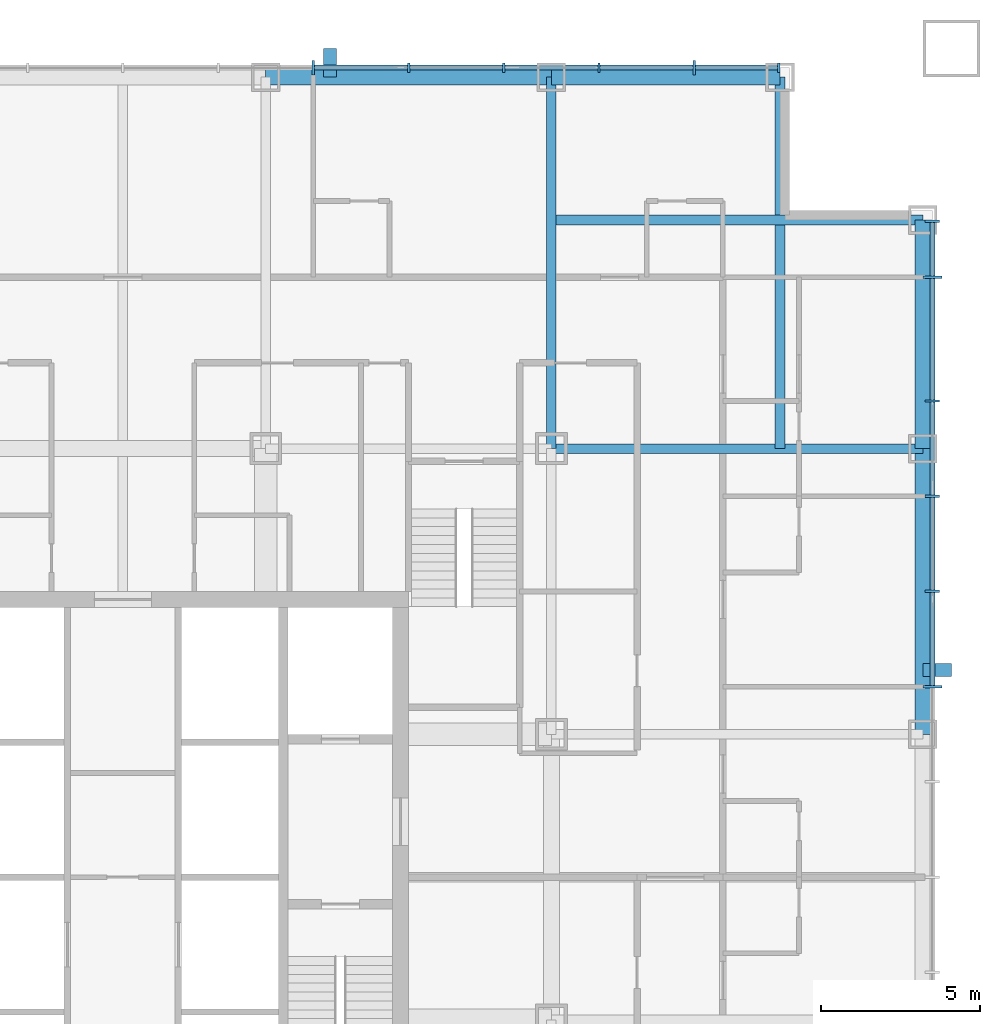
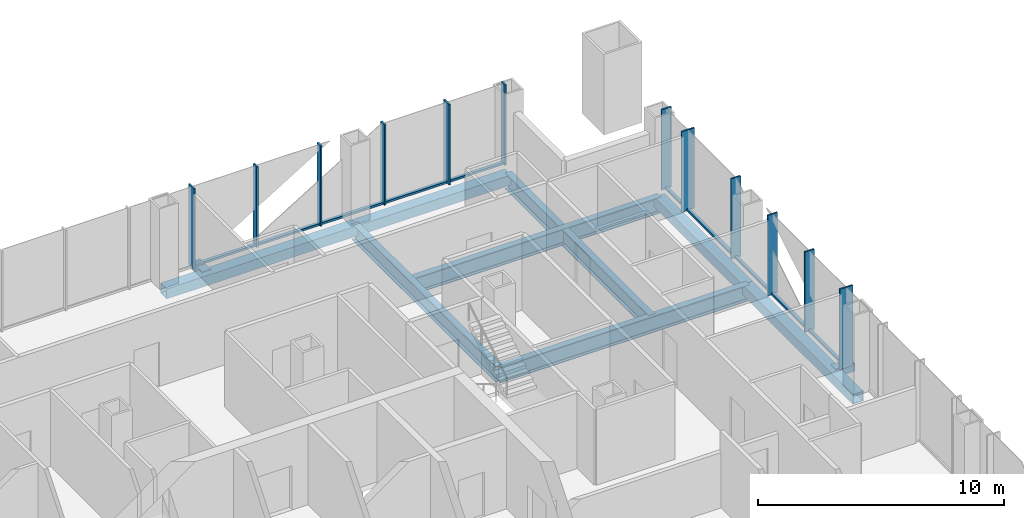
# One storey, part 5 of 17: 24 members, 8 beams, 2 elements without a shape of their own.
"""IFC4 building model written with IfcOpenShell, lengths in metres."""

from ifc_helpers import new_model, si_unit, direction, frame, origin, origin_2d, place, context, subcontext, project, spatial, rectangle, hollow_rectangle, i_section, extrude, material, layer, layer_set, material_profile, profile_set, type_object, element, aggregate, save


model = new_model("IFC4")

# Units and contexts
model_context = context("Model", 3, precision=1e-05, world=origin(), true_north=direction((0.0, 1.0)))
body_context = subcontext(model_context, "Body", "Model", "MODEL_VIEW")
ifc_project = project(units=[si_unit("LENGTHUNIT", "METRE"), si_unit("AREAUNIT", "SQUARE_METRE"), si_unit("VOLUMEUNIT", "CUBIC_METRE"), si_unit("PLANEANGLEUNIT", "RADIAN"), si_unit("MASSUNIT", "GRAM", prefix="KILO")], contexts=[model_context])

# Site, building, storey
site_placement = place(None, origin())
site = spatial("IfcSite", under=ifc_project, at=site_placement, CompositionType="ELEMENT")
building_placement = place(site_placement, origin())
building = spatial("IfcBuilding", under=site, at=building_placement, Name="Malebo Sky Hospital", CompositionType="ELEMENT")
storey_placement = place(building_placement, frame((0.0, 0.0, 83.0)))
storey = spatial("IfcBuildingStorey", under=building, at=storey_placement, Name="L19", CompositionType="ELEMENT", Elevation=83.0)

# Curtain wall, members
ifc_material_1 = material(Name="Anodised aluminium, natural silver", Category="aluminium")
ifc_layer_1 = layer(ifc_material_1, 0.25)
ifc_layer_set_1 = layer_set([ifc_layer_1], Name="WARD CURTAIN WALL NORTH AND SOUTH")
curtain_wall_type_1 = type_object("IfcCurtainWallType", Name="WARD CURTAIN WALL NORTH AND SOUTH", PredefinedType="NOTDEFINED", material=ifc_layer_set_1)
curtain_wall_1_placement = place(storey_placement, origin())
curtain_wall_1 = element("IfcCurtainWall", 1, at=curtain_wall_1_placement, inside=storey, type_object=curtain_wall_type_1, Name="NS curtain wall N", PredefinedType="NOTDEFINED")
ifc_material_profile_1 = material_profile(ifc_material_1, rectangle(XDim=0.14990234375, YDim=0.10009765625, at=origin_2d()), Name="ALUMINIUM TRANSOM 150x100")
ifc_profile_set_1 = profile_set([ifc_material_profile_1], Name="Anodised aluminium, natural silver")
member_type_1 = type_object("IfcMemberType", Name="ALUMINIUM TRANSOM 150x100", PredefinedType="USERDEFINED", material=ifc_profile_set_1)
member_1_placement = place(storey_placement, frame((66.03759765625, 87.5, 0.050048828125), z_axis=(1.0, 0.0, 0.0), x_axis=(0.0, 1.0, 0.0)))
member_1 = element("IfcMember", 2, at=member_1_placement, type_object=member_type_1, Name="Transom 10", ObjectType="TRANSOM", PredefinedType="USERDEFINED", context=body_context, shape_type="SweptSolid", body=[
    extrude(rectangle(XDim=0.14990234375, YDim=0.10009765625, at=origin_2d()), origin(), (0.0, 0.0, 1.0), 2.9248046875),
])
member_2_placement = place(storey_placement, frame((69.03759765625, 87.5, 0.050048828125), z_axis=(1.0, 0.0, 0.0), x_axis=(0.0, 1.0, 0.0)))
member_2 = element("IfcMember", 3, at=member_2_placement, type_object=member_type_1, Name="Transom 11", ObjectType="TRANSOM", PredefinedType="USERDEFINED", context=body_context, shape_type="SweptSolid", body=[
    extrude(rectangle(XDim=0.14990234375, YDim=0.10009765625, at=origin_2d()), origin(), (0.0, 0.0, 1.0), 2.9248046875),
])
member_3_placement = place(storey_placement, frame((72.03759765625, 87.5, 0.050048828125), z_axis=(1.0, 0.0, 0.0), x_axis=(0.0, 1.0, 0.0)))
member_3 = element("IfcMember", 4, at=member_3_placement, type_object=member_type_1, Name="Transom 12", ObjectType="TRANSOM", PredefinedType="USERDEFINED", context=body_context, shape_type="SweptSolid", body=[
    extrude(rectangle(XDim=0.14990234375, YDim=0.10009765625, at=origin_2d()), origin(), (0.0, 0.0, 1.0), 2.9248046875),
])
member_4_placement = place(storey_placement, frame((75.03759765625, 87.5, 0.050048828125), z_axis=(1.0, 0.0, 0.0), x_axis=(0.0, 1.0, 0.0)))
member_4 = element("IfcMember", 5, at=member_4_placement, type_object=member_type_1, Name="Transom 13", ObjectType="TRANSOM", PredefinedType="USERDEFINED", context=body_context, shape_type="SweptSolid", body=[
    extrude(rectangle(XDim=0.14990234375, YDim=0.10009765625, at=origin_2d()), origin(), (0.0, 0.0, 1.0), 2.9248046875),
])
member_5_placement = place(storey_placement, frame((78.03759765625, 87.5, 0.050048828125), z_axis=(1.0, 0.0, 0.0), x_axis=(0.0, 1.0, 0.0)))
member_5 = element("IfcMember", 6, at=member_5_placement, type_object=member_type_1, Name="Transom 14", ObjectType="TRANSOM", PredefinedType="USERDEFINED", context=body_context, shape_type="SweptSolid", body=[
    extrude(rectangle(XDim=0.14990234375, YDim=0.10009765625, at=origin_2d()), origin(), (0.0, 0.0, 1.0), 2.58740234375),
])

ifc_layer_2 = layer(ifc_material_1, 0.25)
ifc_layer_set_2 = layer_set([ifc_layer_2], Name="WARD CURTAIN WALL EAST AND WEST")
curtain_wall_type_2 = type_object("IfcCurtainWallType", Name="WARD CURTAIN WALL EAST AND WEST", PredefinedType="NOTDEFINED", material=ifc_layer_set_2)
curtain_wall_2_placement = place(storey_placement, origin())
curtain_wall_2 = element("IfcCurtainWall", 7, at=curtain_wall_2_placement, inside=storey, type_object=curtain_wall_type_2, Name="EW curtain wall E", PredefinedType="NOTDEFINED")
member_6_placement = place(storey_placement, frame((85.5, 82.625, 0.050048828125), z_axis=(0.0, -1.0, 0.0), x_axis=(1.0, 0.0, 0.0)))
member_6 = element("IfcMember", 8, at=member_6_placement, type_object=member_type_1, Name="Transom 1", ObjectType="TRANSOM", PredefinedType="USERDEFINED", context=body_context, shape_type="SweptSolid", body=[
    extrude(rectangle(XDim=0.14990234375, YDim=0.10009765625, at=origin_2d()), origin(), (0.0, 0.0, 1.0), 1.6875),
])
member_7_placement = place(storey_placement, frame((85.5, 80.862548828125, 0.050048828125), z_axis=(0.0, -1.0, 0.0), x_axis=(1.0, 0.0, 0.0)))
member_7 = element("IfcMember", 9, at=member_7_placement, type_object=member_type_1, Name="Transom 2", ObjectType="TRANSOM", PredefinedType="USERDEFINED", context=body_context, shape_type="SweptSolid", body=[
    extrude(rectangle(XDim=0.14990234375, YDim=0.10009765625, at=origin_2d()), origin(), (0.0, 0.0, 1.0), 3.824951171875),
])
member_8_placement = place(storey_placement, frame((85.5, 76.96240234375, 0.050048828125), z_axis=(0.0, -1.0, 0.0), x_axis=(1.0, 0.0, 0.0)))
member_8 = element("IfcMember", 10, at=member_8_placement, type_object=member_type_1, Name="Transom 3", ObjectType="TRANSOM", PredefinedType="USERDEFINED", context=body_context, shape_type="SweptSolid", body=[
    extrude(rectangle(XDim=0.14990234375, YDim=0.10009765625, at=origin_2d()), origin(), (0.0, 0.0, 1.0), 2.9248046875),
])
member_9_placement = place(storey_placement, frame((85.5, 73.96240234375, 0.050048828125), z_axis=(0.0, -1.0, 0.0), x_axis=(1.0, 0.0, 0.0)))
member_9 = element("IfcMember", 11, at=member_9_placement, type_object=member_type_1, Name="Transom 4", ObjectType="TRANSOM", PredefinedType="USERDEFINED", context=body_context, shape_type="SweptSolid", body=[
    extrude(rectangle(XDim=0.14990234375, YDim=0.10009765625, at=origin_2d()), origin(), (0.0, 0.0, 1.0), 2.9248046875),
])
member_10_placement = place(storey_placement, frame((85.5, 70.96240234375, 0.050048828125), z_axis=(0.0, -1.0, 0.0), x_axis=(1.0, 0.0, 0.0)))
member_10 = element("IfcMember", 12, at=member_10_placement, type_object=member_type_1, Name="Transom 5", ObjectType="TRANSOM", PredefinedType="USERDEFINED", context=body_context, shape_type="SweptSolid", body=[
    extrude(rectangle(XDim=0.14990234375, YDim=0.10009765625, at=origin_2d()), origin(), (0.0, 0.0, 1.0), 2.9248046875),
])

# Members
ifc_material_2 = material(Name="Steel S355", Category="steel")
ifc_material_profile_2 = material_profile(ifc_material_2, hollow_rectangle(XDim=0.39990234375, YDim=0.39990234375, WallThickness=0.02001953125, at=origin_2d()), Name="SHS 400x20")
ifc_profile_set_2 = profile_set([ifc_material_profile_2], Name="Steel S355")
member_type_2 = type_object("IfcMemberType", Name="BRACE STRUT SHS 400x20", PredefinedType="STRUT", material=ifc_profile_set_2)
for number, where, z_axis, x_axis, name in (
    (13, (66.52490234375, 88.10009765625, -0.39990234375), (0.0, -1.0, 0.0), (1.0, 0.0, 0.0), "Brace strut AN2 L19"),
    (14, (86.10009765625, 68.52490234375, -0.39990234375), (-1.0, 0.0, 0.0), (0.0, -1.0, 0.0), "Brace strut AE1 L19"),
):
    element("IfcMember", number, at=place(storey_placement, frame(where, z_axis=z_axis, x_axis=x_axis)), inside=storey, type_object=member_type_2, Name=name, PredefinedType="STRUT", context=body_context, shape_type="SweptSolid", body=[
        extrude(hollow_rectangle(XDim=0.39990234375, YDim=0.39990234375, WallThickness=0.02001953125, at=origin_2d()), origin(), (0.0, 0.0, 1.0), 0.900146484375),
    ])

# Member
ifc_material_profile_3 = material_profile(ifc_material_1, rectangle(XDim=0.074951171875, YDim=0.300048828125, at=origin_2d()), Name="CW1 ALUMINIUM FIN MULLION 75x300")
ifc_profile_set_3 = profile_set([ifc_material_profile_3], Name="Anodised aluminium, natural silver")
member_type_3 = type_object("IfcMemberType", Name="CW1 ALUMINIUM FIN MULLION 75x300", PredefinedType="MULLION", material=ifc_profile_set_3)
member_11_placement = place(storey_placement, frame((69.0, 87.5, 0.0), z_axis=(0.0, 0.0, 1.0), x_axis=(1.0, 0.0, 0.0)))
member_11 = element("IfcMember", 15, at=member_11_placement, type_object=member_type_3, Name="Fin mullion 11", PredefinedType="MULLION", context=body_context, shape_type="SweptSolid", body=[
    extrude(rectangle(XDim=0.074951171875, YDim=0.300048828125, at=origin_2d()), origin(), (0.0, 0.0, 1.0), 4.0),
])

member_12_placement = place(storey_placement, frame((72.0, 87.5, 0.0), z_axis=(0.0, 0.0, 1.0), x_axis=(1.0, 0.0, 0.0)))
member_12 = element("IfcMember", 16, at=member_12_placement, type_object=member_type_3, Name="Fin mullion 12", PredefinedType="MULLION", context=body_context, shape_type="SweptSolid", body=[
    extrude(rectangle(XDim=0.074951171875, YDim=0.300048828125, at=origin_2d()), origin(), (0.0, 0.0, 1.0), 4.0),
])

member_13_placement = place(storey_placement, frame((75.0, 87.5, 0.0), z_axis=(0.0, 0.0, 1.0), x_axis=(1.0, 0.0, 0.0)))
member_13 = element("IfcMember", 17, at=member_13_placement, type_object=member_type_3, Name="Fin mullion 13", PredefinedType="MULLION", context=body_context, shape_type="SweptSolid", body=[
    extrude(rectangle(XDim=0.074951171875, YDim=0.300048828125, at=origin_2d()), origin(), (0.0, 0.0, 1.0), 4.0),
])

member_14_placement = place(storey_placement, frame((80.66259765625, 87.5, 0.0), z_axis=(0.0, 0.0, 1.0), x_axis=(1.0, 0.0, 0.0)))
member_14 = element("IfcMember", 18, at=member_14_placement, type_object=member_type_3, Name="Fin mullion 15", PredefinedType="MULLION", context=body_context, shape_type="SweptSolid", body=[
    extrude(rectangle(XDim=0.074951171875, YDim=0.300048828125, at=origin_2d()), origin(), (0.0, 0.0, 1.0), 4.0),
])

ifc_material_profile_4 = material_profile(ifc_material_1, rectangle(XDim=0.074951171875, YDim=0.449951171875, at=origin_2d()), Name="CW1 ALUMINIUM FIN MULLION 75x450")
ifc_profile_set_4 = profile_set([ifc_material_profile_4], Name="Anodised aluminium, natural silver")
member_type_4 = type_object("IfcMemberType", Name="CW1 ALUMINIUM FIN MULLION 75x450", PredefinedType="MULLION", material=ifc_profile_set_4)
member_15_placement = place(storey_placement, frame((66.0, 87.5, 0.0), z_axis=(0.0, 0.0, 1.0), x_axis=(1.0, 0.0, 0.0)))
member_15 = element("IfcMember", 19, at=member_15_placement, type_object=member_type_4, Name="Fin mullion 10", PredefinedType="MULLION", context=body_context, shape_type="SweptSolid", body=[
    extrude(rectangle(XDim=0.074951171875, YDim=0.449951171875, at=origin_2d()), origin(), (0.0, 0.0, 1.0), 4.0),
])

member_16_placement = place(storey_placement, frame((78.0, 87.5, 0.0), z_axis=(0.0, 0.0, 1.0), x_axis=(1.0, 0.0, 0.0)))
member_16 = element("IfcMember", 20, at=member_16_placement, type_object=member_type_4, Name="Fin mullion 14", PredefinedType="MULLION", context=body_context, shape_type="SweptSolid", body=[
    extrude(rectangle(XDim=0.074951171875, YDim=0.449951171875, at=origin_2d()), origin(), (0.0, 0.0, 1.0), 4.0),
])

aggregate(curtain_wall_1, [member_15, member_11, member_12, member_13, member_16, member_14, member_1, member_2, member_3, member_4, member_5])

ifc_material_profile_5 = material_profile(ifc_material_1, rectangle(XDim=0.074951171875, YDim=0.449951171875, at=origin_2d()), Name="CW2 ALUMINIUM FIN MULLION 75x450")
ifc_profile_set_5 = profile_set([ifc_material_profile_5], Name="Anodised aluminium, natural silver")
member_type_5 = type_object("IfcMemberType", Name="CW2 ALUMINIUM FIN MULLION 75x450", PredefinedType="MULLION", material=ifc_profile_set_5)
member_17_placement = place(storey_placement, frame((85.5, 82.66259765625, 0.0), z_axis=(0.0, 0.0, 1.0), x_axis=(0.0, -1.0, 0.0)))
member_17 = element("IfcMember", 21, at=member_17_placement, type_object=member_type_5, Name="Fin mullion 1", PredefinedType="MULLION", context=body_context, shape_type="SweptSolid", body=[
    extrude(rectangle(XDim=0.074951171875, YDim=0.449951171875, at=origin_2d()), origin(), (0.0, 0.0, 1.0), 4.0),
])

member_18_placement = place(storey_placement, frame((85.5, 77.0, 0.0), z_axis=(0.0, 0.0, 1.0), x_axis=(0.0, -1.0, 0.0)))
member_18 = element("IfcMember", 22, at=member_18_placement, type_object=member_type_5, Name="Fin mullion 3", PredefinedType="MULLION", context=body_context, shape_type="SweptSolid", body=[
    extrude(rectangle(XDim=0.074951171875, YDim=0.449951171875, at=origin_2d()), origin(), (0.0, 0.0, 1.0), 4.0),
])

member_19_placement = place(storey_placement, frame((85.5, 74.0, 0.0), z_axis=(0.0, 0.0, 1.0), x_axis=(0.0, -1.0, 0.0)))
member_19 = element("IfcMember", 23, at=member_19_placement, type_object=member_type_5, Name="Fin mullion 4", PredefinedType="MULLION", context=body_context, shape_type="SweptSolid", body=[
    extrude(rectangle(XDim=0.074951171875, YDim=0.449951171875, at=origin_2d()), origin(), (0.0, 0.0, 1.0), 4.0),
])

member_20_placement = place(storey_placement, frame((85.5, 71.0, 0.0), z_axis=(0.0, 0.0, 1.0), x_axis=(0.0, -1.0, 0.0)))
member_20 = element("IfcMember", 24, at=member_20_placement, type_object=member_type_5, Name="Fin mullion 5", PredefinedType="MULLION", context=body_context, shape_type="SweptSolid", body=[
    extrude(rectangle(XDim=0.074951171875, YDim=0.449951171875, at=origin_2d()), origin(), (0.0, 0.0, 1.0), 4.0),
])

ifc_material_profile_6 = material_profile(ifc_material_1, rectangle(XDim=0.074951171875, YDim=0.60009765625, at=origin_2d()), Name="CW2 ALUMINIUM FIN MULLION 75x600")
ifc_profile_set_6 = profile_set([ifc_material_profile_6], Name="Anodised aluminium, natural silver")
member_type_6 = type_object("IfcMemberType", Name="CW2 ALUMINIUM FIN MULLION 75x600", PredefinedType="MULLION", material=ifc_profile_set_6)
member_21_placement = place(storey_placement, frame((85.5, 80.89990234375, 0.0), z_axis=(0.0, 0.0, 1.0), x_axis=(0.0, -1.0, 0.0)))
member_21 = element("IfcMember", 25, at=member_21_placement, type_object=member_type_6, Name="Fin mullion 2", PredefinedType="MULLION", context=body_context, shape_type="SweptSolid", body=[
    extrude(rectangle(XDim=0.074951171875, YDim=0.60009765625, at=origin_2d()), origin(), (0.0, 0.0, 1.0), 4.0),
])

member_22_placement = place(storey_placement, frame((85.5, 68.0, 0.0), z_axis=(0.0, 0.0, 1.0), x_axis=(0.0, -1.0, 0.0)))
member_22 = element("IfcMember", 26, at=member_22_placement, type_object=member_type_6, Name="Fin mullion 6", PredefinedType="MULLION", context=body_context, shape_type="SweptSolid", body=[
    extrude(rectangle(XDim=0.074951171875, YDim=0.60009765625, at=origin_2d()), origin(), (0.0, 0.0, 1.0), 4.0),
])

aggregate(curtain_wall_2, [member_17, member_21, member_18, member_19, member_20, member_22, member_6, member_7, member_8, member_9, member_10])

# Beams
ifc_material_3 = material(Name="Steel S460", Category="steel")
ifc_material_profile_7 = material_profile(ifc_material_3, hollow_rectangle(XDim=0.5, YDim=0.5, WallThickness=0.030029296875, at=origin_2d()), Name="BOX 500x500x30")
ifc_profile_set_7 = profile_set([ifc_material_profile_7], Name="Steel S460")
beam_type_1 = type_object("IfcBeamType", Name="EDGE BEAM BOX 500x500x30", PredefinedType="BEAM", material=ifc_profile_set_7)
beam_1_placement = place(storey_placement, frame((85.199951171875, 66.5, -0.5), z_axis=(0.0, 1.0, 0.0), x_axis=(-1.0, 0.0, 0.0)))
element("IfcBeam", 27, at=beam_1_placement, inside=storey, type_object=beam_type_1, Name="Beam 032 L19", PredefinedType="BEAM", context=body_context, shape_type="SweptSolid", body=[
    extrude(hollow_rectangle(XDim=0.5, YDim=0.5, WallThickness=0.030029296875, at=origin_2d()), origin(), (0.0, 0.0, 1.0), 9.0),
])
beam_2_placement = place(storey_placement, frame((85.199951171875, 75.5, -0.5), z_axis=(0.0, 1.0, 0.0), x_axis=(-1.0, 0.0, 0.0)))
element("IfcBeam", 28, at=beam_2_placement, inside=storey, type_object=beam_type_1, Name="Beam 033 L19", PredefinedType="BEAM", context=body_context, shape_type="SweptSolid", body=[
    extrude(hollow_rectangle(XDim=0.5, YDim=0.5, WallThickness=0.030029296875, at=origin_2d()), origin(), (0.0, 0.0, 1.0), 7.199951171875),
])
beam_3_placement = place(storey_placement, frame((64.5, 87.199951171875, -0.5), z_axis=(1.0, 0.0, 0.0), x_axis=(0.0, 1.0, 0.0)))
element("IfcBeam", 29, at=beam_3_placement, inside=storey, type_object=beam_type_1, Name="Beam 066 L19", PredefinedType="BEAM", context=body_context, shape_type="SweptSolid", body=[
    extrude(hollow_rectangle(XDim=0.5, YDim=0.5, WallThickness=0.030029296875, at=origin_2d()), origin(), (0.0, 0.0, 1.0), 9.0),
])
beam_4_placement = place(storey_placement, frame((73.5, 87.199951171875, -0.5), z_axis=(1.0, 0.0, 0.0), x_axis=(0.0, 1.0, 0.0)))
element("IfcBeam", 30, at=beam_4_placement, inside=storey, type_object=beam_type_1, Name="Beam 067 L19", PredefinedType="BEAM", context=body_context, shape_type="SweptSolid", body=[
    extrude(hollow_rectangle(XDim=0.5, YDim=0.5, WallThickness=0.030029296875, at=origin_2d()), origin(), (0.0, 0.0, 1.0), 7.199951171875),
])
ifc_material_profile_8 = material_profile(ifc_material_2, i_section(OverallWidth=0.300048828125, OverallDepth=0.800048828125, WebThickness=0.017578125, FlangeThickness=0.032958984375, FilletRadius=0.030029296875, at=origin_2d()), Name="HEB 800")
ifc_profile_set_8 = profile_set([ifc_material_profile_8], Name="Steel S355")
beam_type_2 = type_object("IfcBeamType", Name="FLOOR BEAM HEB 800", PredefinedType="BEAM", material=ifc_profile_set_8)
for number, where, z_axis, x_axis, name in (
    (31, (80.699951171875, 75.5, -0.64990234375), (0.0, 1.0, 0.0), (-1.0, 0.0, 0.0), "Beam 028 L19"),
    (32, (73.5, 82.699951171875, -0.64990234375), (1.0, 0.0, 0.0), (0.0, 1.0, 0.0), "Beam 062 L19"),
):
    element("IfcBeam", number, at=place(storey_placement, frame(where, z_axis=z_axis, x_axis=x_axis)), inside=storey, type_object=beam_type_2, Name=name, PredefinedType="BEAM", context=body_context, shape_type="SweptSolid", body=[
        extrude(i_section(OverallWidth=0.300048828125, OverallDepth=0.800048828125, WebThickness=0.017578125, FlangeThickness=0.032958984375, FilletRadius=0.030029296875, at=origin_2d()), origin(), (0.0, 0.0, 1.0), 11.699951171875),
    ])
ifc_material_profile_9 = material_profile(ifc_material_2, i_section(OverallWidth=0.300048828125, OverallDepth=0.800048828125, WebThickness=0.017578125, FlangeThickness=0.032958984375, FilletRadius=0.030029296875, at=origin_2d()), Name="HEB 800")
ifc_profile_set_9 = profile_set([ifc_material_profile_9], Name="Steel S355")
beam_type_3 = type_object("IfcBeamType", Name="FLOOR GIRDER HEB 800", PredefinedType="BEAM", material=ifc_profile_set_9)
for number, where, z_axis, x_axis, name in (
    (33, (73.5, 75.5, -0.64990234375), (0.0, 1.0, 0.0), (-1.0, 0.0, 0.0), "Beam 026 L19"),
    (34, (73.5, 75.5, -0.64990234375), (1.0, 0.0, 0.0), (0.0, 1.0, 0.0), "Beam 060 L19"),
):
    element("IfcBeam", number, at=place(storey_placement, frame(where, z_axis=z_axis, x_axis=x_axis)), inside=storey, type_object=beam_type_3, Name=name, PredefinedType="BEAM", context=body_context, shape_type="SweptSolid", body=[
        extrude(i_section(OverallWidth=0.300048828125, OverallDepth=0.800048828125, WebThickness=0.017578125, FlangeThickness=0.032958984375, FilletRadius=0.030029296875, at=origin_2d()), origin(), (0.0, 0.0, 1.0), 11.699951171875),
    ])

save(model, "model.ifc")
